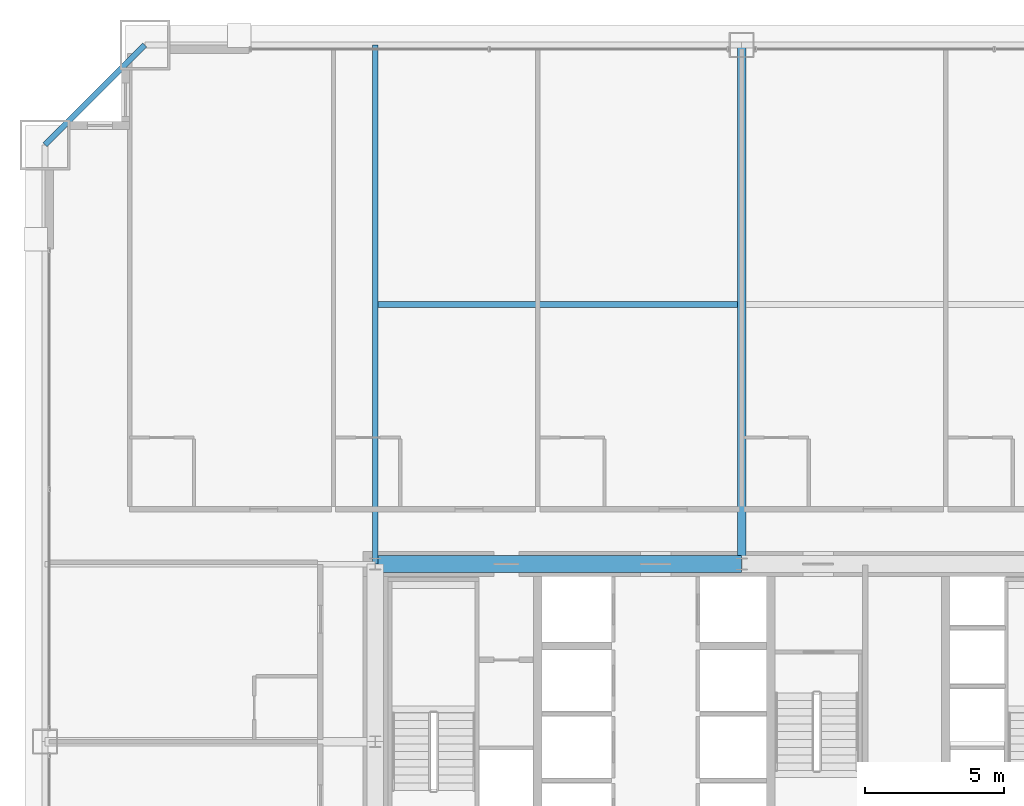
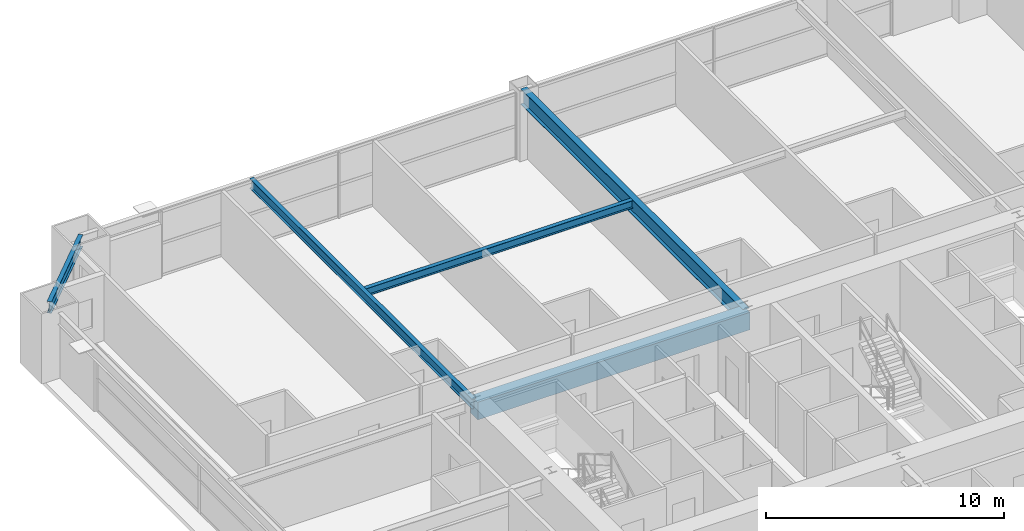
# One storey, part 26 of 45: 5 beams.
"""IFC4 building model written with IfcOpenShell, lengths in metres."""

from ifc_helpers import new_model, si_unit, direction, frame, origin, origin_2d, place, context, subcontext, project, spatial, rectangle, i_section, extrude, source, transform, mapped, material, material_profile, profile_set, type_object, element, save


model = new_model("IFC4")

# Units and contexts
model_context = context("Model", 3, precision=1e-05, world=origin(), true_north=direction((0.0, 1.0)))
body_context = subcontext(model_context, "Body", "Model", "MODEL_VIEW")
ifc_project = project(units=[si_unit("LENGTHUNIT", "METRE"), si_unit("AREAUNIT", "SQUARE_METRE"), si_unit("VOLUMEUNIT", "CUBIC_METRE"), si_unit("PLANEANGLEUNIT", "RADIAN"), si_unit("MASSUNIT", "GRAM", prefix="KILO"), si_unit("THERMODYNAMICTEMPERATUREUNIT", "KELVIN"), si_unit("POWERUNIT", "WATT")], contexts=[model_context])

# Site, building, storey
site_placement = place(None, origin())
site = spatial("IfcSite", under=ifc_project, at=site_placement, CompositionType="ELEMENT")
building_placement = place(site_placement, origin())
building = spatial("IfcBuilding", under=site, at=building_placement, Name="Yuzanri Waterfront Tower", CompositionType="ELEMENT")
storey_placement = place(building_placement, frame((0.0, 0.0, 34.199951171875)))
storey = spatial("IfcBuildingStorey", under=building, at=storey_placement, Name="L08", CompositionType="ELEMENT", Elevation=34.199951171875)

# Beams
ifc_material_1 = material(Name="Concrete C60", Category="concrete")
ifc_material_profile_1 = material_profile(ifc_material_1, rectangle(XDim=0.60009765625, YDim=0.89990234375, at=origin_2d()), Name="RC 600x900")
ifc_profile_set_1 = profile_set([ifc_material_profile_1], Name="Concrete C60")
beam_type_1 = type_object("IfcBeamType", Name="Core Coupling Lintel Concrete C60 600x900", PredefinedType="LINTEL", material=ifc_profile_set_1)
shared_shape_1 = source(origin(), body_context, "Body", "SweptSolid", [
    extrude(rectangle(XDim=0.60009765625, YDim=0.89990234375, at=origin_2d()), origin(), (0.0, 0.0, 1.0), 13.199951171875),
])
beam_1_placement = place(storey_placement, frame((23.800048828125, 32.199951171875, 2.929931640625), z_axis=(1.0, 0.0, 0.0), x_axis=(0.0, 1.0, 0.0)))
element("IfcBeam", 1, at=beam_1_placement, inside=storey, type_object=beam_type_1, Name="L08 Core Tie Beam CN1", PredefinedType="LINTEL", context=body_context, shape_type="MappedRepresentation", body=[
    mapped(shared_shape_1, transform((0.0, 0.0, 0.0), scale=1.0)),
])
ifc_material_2 = material(Name="Steel Q355B", Category="steel")
ifc_material_profile_2 = material_profile(ifc_material_2, i_section(OverallWidth=0.199951171875, OverallDepth=0.60009765625, WebThickness=0.010986328125, FlangeThickness=0.01708984375, at=origin_2d()), Name="HN 600x200x11x17")
ifc_profile_set_2 = profile_set([ifc_material_profile_2], Name="Steel Q355B")
beam_type_2 = type_object("IfcBeamType", Name="Perimeter Spandrel Q355B HN 600x200", PredefinedType="SPANDREL", material=ifc_profile_set_2)
shared_shape_2 = source(origin(), body_context, "Body", "SweptSolid", [
    extrude(i_section(OverallWidth=0.199951171875, OverallDepth=0.60009765625, WebThickness=0.010986328125, FlangeThickness=0.01708984375, at=origin_2d()), origin(), (0.0, 0.0, 1.0), 5.091064453125),
])
beam_2_placement = place(storey_placement, frame((15.5, 50.89990234375, 3.080078125), z_axis=(-0.707130757816, -0.707082803744, 0.0), x_axis=(0.707082803744, -0.707130757816, 0.0)))
element("IfcBeam", 2, at=beam_2_placement, inside=storey, type_object=beam_type_2, Name="L08 Perimeter Spandrel N1-W3", PredefinedType="SPANDREL", context=body_context, shape_type="MappedRepresentation", body=[
    mapped(shared_shape_2, transform((0.0, 0.0, 0.0), scale=1.0)),
])
ifc_material_3 = material(Name="Steel Q355B", Category="steel")
ifc_material_profile_3 = material_profile(ifc_material_3, i_section(OverallWidth=0.300048828125, OverallDepth=0.800048828125, WebThickness=0.013916015625, FlangeThickness=0.02587890625, at=origin_2d()), Name="HN 800x300x14x26")
ifc_profile_set_3 = profile_set([ifc_material_profile_3], Name="Steel Q355B")
beam_type_3 = type_object("IfcBeamType", Name="Primary Floor Girder Q355B HN 800x300", PredefinedType="BEAM", material=ifc_profile_set_3)
shared_shape_3 = source(origin(), body_context, "Body", "SweptSolid", [
    extrude(i_section(OverallWidth=0.300048828125, OverallDepth=0.800048828125, WebThickness=0.013916015625, FlangeThickness=0.02587890625, at=origin_2d()), origin(), (0.0, 0.0, 1.0), 18.699951171875),
])
beam_3_placement = place(storey_placement, frame((37.0, 32.199951171875, 2.97998046875), z_axis=(0.0, 1.0, 0.0), x_axis=(-1.0, 0.0, 0.0)))
element("IfcBeam", 3, at=beam_3_placement, inside=storey, type_object=beam_type_3, Name="L08 North Grid Girder", PredefinedType="BEAM", context=body_context, shape_type="MappedRepresentation", body=[
    mapped(shared_shape_3, transform((0.0, 0.0, 0.0), scale=1.0)),
])
ifc_material_4 = material(Name="Steel Q355B", Category="steel")
ifc_material_profile_4 = material_profile(ifc_material_4, i_section(OverallWidth=0.199951171875, OverallDepth=0.5, WebThickness=0.010009765625, FlangeThickness=0.01611328125, at=origin_2d()), Name="HN 500x200x10x16")
ifc_profile_set_4 = profile_set([ifc_material_profile_4], Name="Steel Q355B")
beam_type_4 = type_object("IfcBeamType", Name="Secondary Floor Beam Q355B HN 500x200", PredefinedType="BEAM", material=ifc_profile_set_4)
shared_shape_4 = source(origin(), body_context, "Body", "SweptSolid", [
    extrude(i_section(OverallWidth=0.199951171875, OverallDepth=0.5, WebThickness=0.010009765625, FlangeThickness=0.01611328125, at=origin_2d()), origin(), (0.0, 0.0, 1.0), 18.699951171875),
])
beam_4_placement = place(storey_placement, frame((23.800048828125, 32.199951171875, 3.130126953125), z_axis=(0.0, 1.0, 0.0), x_axis=(-1.0, 0.0, 0.0)))
element("IfcBeam", 4, at=beam_4_placement, inside=storey, type_object=beam_type_4, Name="L08 North-West Core Line Beam", PredefinedType="BEAM", context=body_context, shape_type="MappedRepresentation", body=[
    mapped(shared_shape_4, transform((0.0, 0.0, 0.0), scale=1.0)),
])
ifc_material_5 = material(Name="Steel Q355B", Category="steel")
ifc_material_profile_5 = material_profile(ifc_material_5, i_section(OverallWidth=0.199951171875, OverallDepth=0.39990234375, WebThickness=0.008056640625, FlangeThickness=0.012939453125, at=origin_2d()), Name="HN 400x200x8x13")
ifc_profile_set_5 = profile_set([ifc_material_profile_5], Name="Steel Q355B")
beam_type_5 = type_object("IfcBeamType", Name="Floor Joist Q355B HN 400x200", PredefinedType="JOIST", material=ifc_profile_set_5)
shared_shape_5 = source(origin(), body_context, "Body", "SweptSolid", [
    extrude(i_section(OverallWidth=0.199951171875, OverallDepth=0.39990234375, WebThickness=0.008056640625, FlangeThickness=0.012939453125, at=origin_2d()), origin(), (0.0, 0.0, 1.0), 12.9501953125),
])
beam_5_placement = place(storey_placement, frame((23.89990234375, 41.550048828125, 3.179931640625), z_axis=(1.0, 0.0, 0.0), x_axis=(0.0, 1.0, 0.0)))
element("IfcBeam", 5, at=beam_5_placement, inside=storey, type_object=beam_type_5, Name="L08 North Bay Joist W", PredefinedType="JOIST", context=body_context, shape_type="MappedRepresentation", body=[
    mapped(shared_shape_5, transform((0.0, 0.0, 0.0), scale=1.0)),
])

save(model, "model.ifc")
